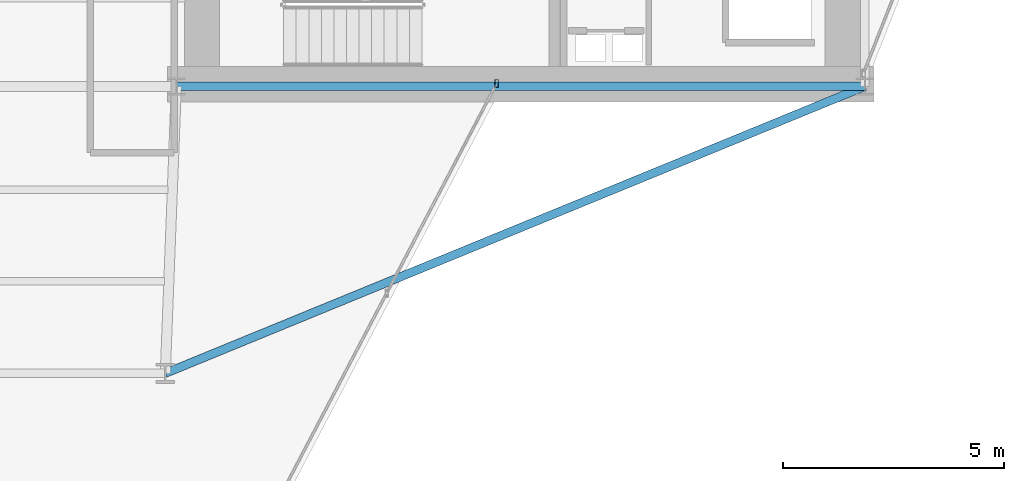
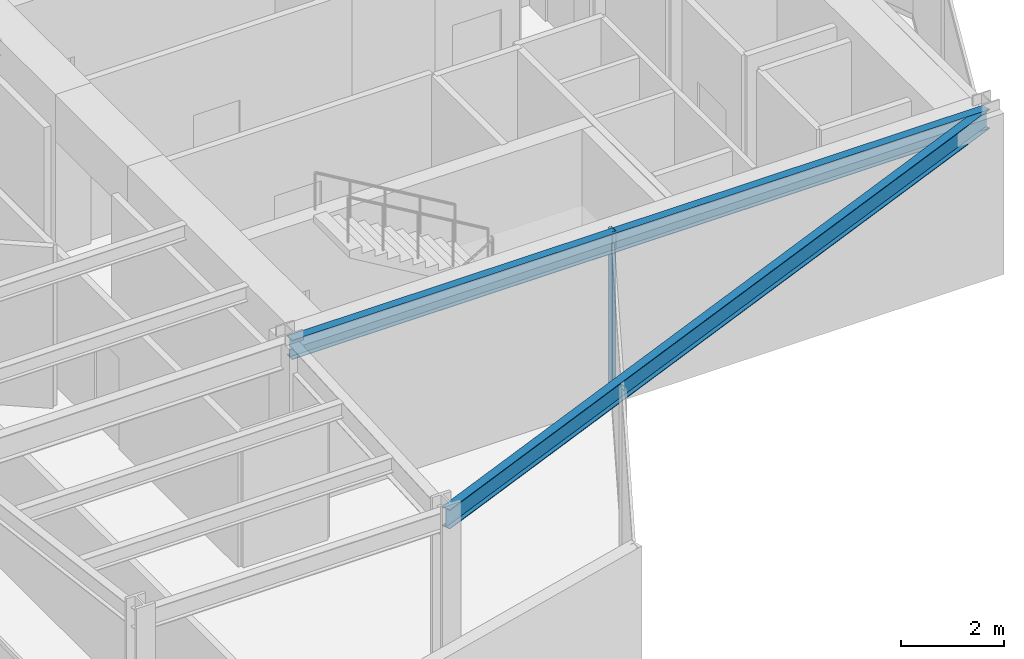
# One storey, part 13 of 25: 2 beams, 1 member, 1 element without a shape of its own.
"""IFC4 building model written with IfcOpenShell, lengths in metres."""

from ifc_helpers import new_model, si_unit, direction, frame, origin, origin_2d, place, context, subcontext, project, spatial, hollow_rectangle, i_section, extrude, material, layer, layer_set, material_profile, profile_set, type_object, element, aggregate, save


model = new_model("IFC4")

# Units and contexts
model_context = context("Model", 3, precision=1e-05, world=origin(), true_north=direction((0.0, 1.0)))
body_context = subcontext(model_context, "Body", "Model", "MODEL_VIEW")
ifc_project = project(units=[si_unit("LENGTHUNIT", "METRE"), si_unit("AREAUNIT", "SQUARE_METRE"), si_unit("VOLUMEUNIT", "CUBIC_METRE"), si_unit("PLANEANGLEUNIT", "RADIAN"), si_unit("MASSUNIT", "GRAM", prefix="KILO")], contexts=[model_context])

# Site, building, storey
site_placement = place(None, origin())
site = spatial("IfcSite", under=ifc_project, at=site_placement, CompositionType="ELEMENT")
building_placement = place(site_placement, origin())
building = spatial("IfcBuilding", under=site, at=building_placement, Name="Veymaron Broadcast Tower", CompositionType="ELEMENT")
storey_placement = place(building_placement, frame((0.0, 0.0, 141.14990234375)))
storey = spatial("IfcBuildingStorey", under=building, at=storey_placement, Name="L32", CompositionType="ELEMENT", Elevation=141.14990234375)

# Beams
ifc_material_1 = material(Name="Structural steel ASTM A992 Gr 50", Category="steel")
ifc_material_profile_1 = material_profile(ifc_material_1, i_section(OverallWidth=0.19091796875, OverallDepth=0.4599609375, WebThickness=0.010009765625, FlangeThickness=0.01611328125, at=origin_2d()), Name="W460X82")
ifc_profile_set_1 = profile_set([ifc_material_profile_1], Name="Structural steel ASTM A992 Gr 50")
beam_type = type_object("IfcBeamType", Name="BM-SP1", PredefinedType="SPANDREL", material=ifc_profile_set_1)
beam_1_placement = place(storey_placement, frame((39.0, 16.0, 3.580078125), z_axis=(1.0, 0.0, 0.0), x_axis=(0.0, 1.0, 0.0)))
element("IfcBeam", 1, at=beam_1_placement, inside=storey, type_object=beam_type, Name="L32 primary structural floor girder", PredefinedType="SPANDREL", context=body_context, shape_type="SweptSolid", body=[
    extrude(i_section(OverallWidth=0.19091796875, OverallDepth=0.4599609375, WebThickness=0.010009765625, FlangeThickness=0.01611328125, at=origin_2d()), origin(), (0.0, 0.0, 1.0), 15.60009765625),
])
beam_2_placement = place(storey_placement, frame((54.60009765625, 16.0, 3.580078125), z_axis=(-0.925221989394, -0.379426238342, 0.0), x_axis=(0.379426238342, -0.925221989394, 0.0)))
element("IfcBeam", 2, at=beam_2_placement, inside=storey, type_object=beam_type, Name="L32 primary structural floor girder", PredefinedType="SPANDREL", context=body_context, shape_type="SweptSolid", body=[
    extrude(i_section(OverallWidth=0.19091796875, OverallDepth=0.4599609375, WebThickness=0.010009765625, FlangeThickness=0.01611328125, at=origin_2d()), origin(), (0.0, 0.0, 1.0), 17.131103515625),
])

# Curtain wall, member
ifc_material_2 = material(Name="Anodised aluminium AA 6063-T6 and laminated low-E dark glass", Category="aluminium")
ifc_layer = layer(ifc_material_2, 0.179931640625)
ifc_layer_set = layer_set([ifc_layer], Name="Anodised aluminium AA 6063-T6 and laminated low-E dark glass")
curtain_wall_type = type_object("IfcCurtainWallType", Name="CW-SYS-03", PredefinedType="NOTDEFINED", material=ifc_layer_set)
curtain_wall_placement = place(storey_placement, origin())
curtain_wall = element("IfcCurtainWall", 3, at=curtain_wall_placement, inside=storey, type_object=curtain_wall_type, Name="L32 dark-glass curtain wall CW-L32-E20-1", PredefinedType="NOTDEFINED")
ifc_material_3 = material(Name="Anodised aluminium AA 6063-T6", Category="aluminium")
ifc_material_profile_2 = material_profile(ifc_material_3, hollow_rectangle(XDim=0.074951171875, YDim=0.179931640625, WallThickness=0.0048828125, at=origin_2d()), Name="AL180X75X5")
ifc_profile_set_2 = profile_set([ifc_material_profile_2], Name="Anodised aluminium AA 6063-T6")
member_type = type_object("IfcMemberType", Name="CW-MUL-02", PredefinedType="MULLION", material=ifc_profile_set_2)
member_placement = place(storey_placement, frame((46.25634765625, 16.06494140625, 0.0), z_axis=(0.0, 0.0, 1.0), x_axis=(1.0, 0.0, 0.0)))
member = element("IfcMember", 4, at=member_placement, type_object=member_type, Name="CW-L32-E20-1 mullion 2", PredefinedType="MULLION", context=body_context, shape_type="SweptSolid", body=[
    extrude(hollow_rectangle(XDim=0.074951171875, YDim=0.179931640625, WallThickness=0.0048828125, at=origin_2d()), origin(), (0.0, 0.0, 1.0), 3.81005859375),
])
aggregate(curtain_wall, [member])

save(model, "model.ifc")
